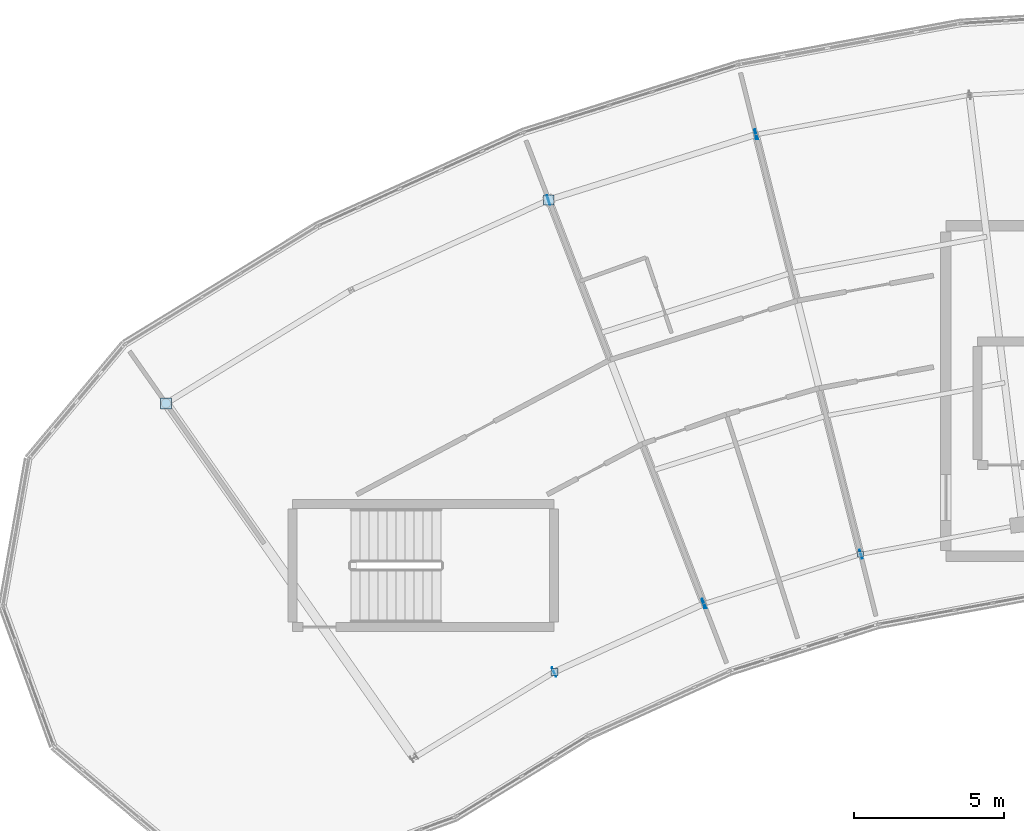
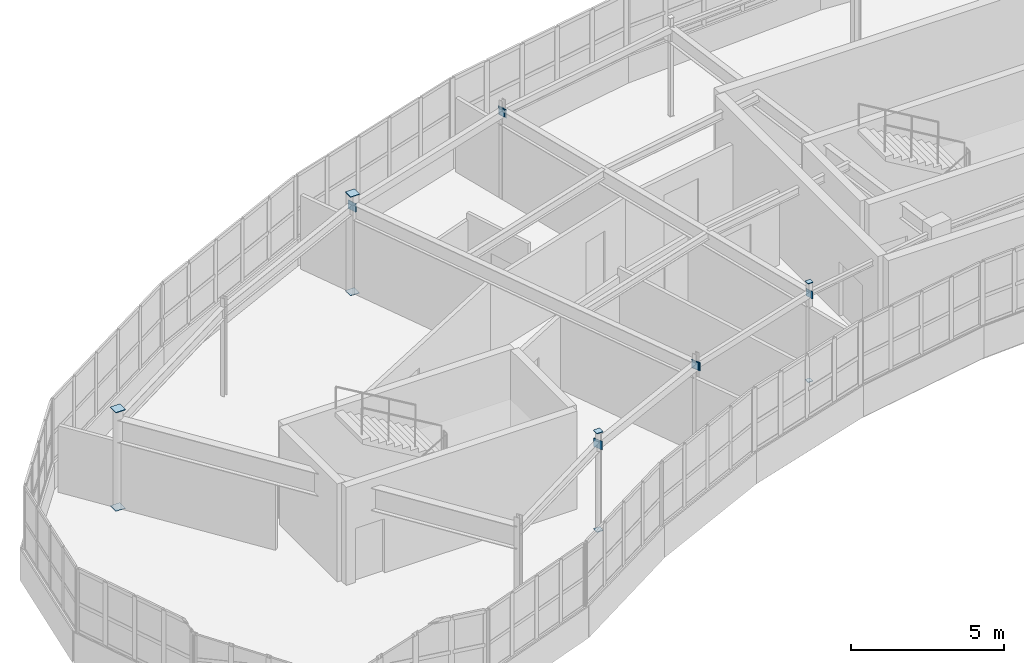
# One storey, part 48 of 65: 15 plates.
"""IFC4 building model written with IfcOpenShell, lengths in metres."""

import ifcopenshell
import ifcopenshell.guid

model = None  # the IFC model being written
_history = None  # IfcOwnerHistory: only IFC2X3 demands one
_inside = {}  # id of a spatial element -> (the spatial element, [elements in it])
_under = {}  # id of a project, library or spatial element -> (it, [spatial elements below it])
_declared = {}  # id of a project -> (the project, [libraries it declares])
_typed = {}  # id of a type object -> (the type object, [elements of that type])
_made_of = {}  # id of a material, layer set ... -> (it, [elements and type objects made of it])


def new_model(schema):
    """Start an empty IFC model of exactly this schema.

    Asked for "IFC4X3", IfcOpenShell would pick the latest addendum, in which some entities
    have other attributes; the version numbers below select the first issue.
    IFC2X3 requires an IfcOwnerHistory on every rooted entity: one is made here for all.
    """
    global model, _history
    if schema == "IFC4X3":
        model = ifcopenshell.file(schema_version=(4, 3, 0, 0))
    else:
        model = ifcopenshell.file(schema=schema)
    _inside.clear()
    _under.clear()
    _declared.clear()
    _typed.clear()
    _made_of.clear()
    _history = None
    if model.schema == "IFC2X3":
        org = make("IfcOrganization", Name="unknown")
        user = make(
            "IfcPersonAndOrganization",
            ThePerson=make("IfcPerson", FamilyName="unknown"),
            TheOrganization=org,
        )
        app = make(
            "IfcApplication",
            ApplicationDeveloper=org,
            Version="unknown",
            ApplicationFullName="unknown",
            ApplicationIdentifier="unknown",
        )
        _history = make(
            "IfcOwnerHistory",
            OwningUser=user,
            OwningApplication=app,
            ChangeAction="ADDED",
            CreationDate=0,
        )
    return model


def make(cls, **values):
    """One entity of the class cls with the attributes given. An attribute that is None is left unset."""
    return model.create_entity(
        cls, **{name: value for name, value in values.items() if value is not None}
    )


def rooted(cls, **values):
    """An entity with a GlobalId (a new one), such as an element, a storey or a relation."""
    return make(cls, GlobalId=ifcopenshell.guid.new(), OwnerHistory=_history, **values)


def si_unit(unit_type, name, prefix=None):
    """IfcSIUnit, for example si_unit("LENGTHUNIT", "METRE", prefix="MILLI")."""
    return make("IfcSIUnit", UnitType=unit_type, Prefix=prefix, Name=name)


def assignment(units):
    """IfcUnitAssignment: the units of a project."""
    return None if units is None else make("IfcUnitAssignment", Units=units)


def point(xyz):
    """IfcCartesianPoint."""
    return None if xyz is None else make("IfcCartesianPoint", Coordinates=xyz)


def direction(xyz):
    """IfcDirection."""
    return None if xyz is None else make("IfcDirection", DirectionRatios=xyz)


def frame(location, z_axis=None, x_axis=None):
    """IfcAxis2Placement3D, a coordinate frame: its origin and axes. An axis left out is left unset."""
    return make(
        "IfcAxis2Placement3D",
        Location=point(location),
        Axis=direction(z_axis),
        RefDirection=direction(x_axis),
    )


def frame_2d(location, x_axis=None):
    """IfcAxis2Placement2D, a coordinate frame in the plane: its origin and x axis."""
    return make(
        "IfcAxis2Placement2D", Location=point(location), RefDirection=direction(x_axis)
    )


def origin():
    """The frame at (0, 0, 0) with its axes left unset."""
    return frame((0.0, 0.0, 0.0))


def origin_2d():
    """The frame at (0, 0) in the plane with its x axis left unset."""
    return frame_2d((0.0, 0.0))


def place(relative_to, where):
    """IfcLocalPlacement: puts the frame where relative to a parent placement (None: the world)."""
    return make(
        "IfcLocalPlacement", PlacementRelTo=relative_to, RelativePlacement=where
    )


def context(
    kind, dimensions, precision=None, world=None, true_north=None, identifier=None
):
    """IfcGeometricRepresentationContext, for example the 3D "Model" context."""
    return make(
        "IfcGeometricRepresentationContext",
        ContextIdentifier=identifier,
        ContextType=kind,
        CoordinateSpaceDimension=dimensions,
        Precision=precision,
        WorldCoordinateSystem=world,
        TrueNorth=true_north,
    )


def subcontext(parent, identifier, kind, view, scale=None):
    """IfcGeometricRepresentationSubContext, for example "Body" below "Model"."""
    return make(
        "IfcGeometricRepresentationSubContext",
        ContextIdentifier=identifier,
        ContextType=kind,
        ParentContext=parent,
        TargetScale=scale,
        TargetView=view,
    )


def project(units=None, contexts=None):
    """IfcProject with its units and contexts."""
    return rooted(
        "IfcProject",
        Name="project",
        RepresentationContexts=contexts,
        UnitsInContext=assignment(units),
    )


def spatial(cls, under=None, at=None, **own):
    """A site, building, storey or space (cls), placed at a placement, below another one or the project."""
    s = rooted(cls, ObjectPlacement=at, **own)
    if under is not None:
        _under.setdefault(under.id(), (under, []))[1].append(s)
    return s


def profile(cls, at=None, kind="AREA", **sizes):
    """A parametric profile (cls). Its sizes go by their IFC names, for example OverallWidth=200.0."""
    return make(cls, ProfileType=kind, Position=at, **sizes)


def rectangle(**sizes):
    """IfcRectangleProfileDef."""
    return profile("IfcRectangleProfileDef", **sizes)


def extrude(swept, where, along, depth):
    """IfcExtrudedAreaSolid: the profile swept, set in the frame where, extruded along a direction by depth."""
    return make(
        "IfcExtrudedAreaSolid",
        SweptArea=swept,
        Position=where,
        ExtrudedDirection=direction(along),
        Depth=depth,
    )


def shape(context_of_items, identifier, shape_type, items):
    """IfcShapeRepresentation: the items that make up one representation, for example the "Body"."""
    return make(
        "IfcShapeRepresentation",
        ContextOfItems=context_of_items,
        RepresentationIdentifier=identifier,
        RepresentationType=shape_type,
        Items=items,
    )


def material(Name=None, Category=None):
    """IfcMaterial."""
    return make("IfcMaterial", Name=Name, Category=Category)


def layer(
    of_material, thickness, ventilated=None, Name=None, Category=None, Priority=None
):
    """IfcMaterialLayer: one layer of a wall or slab, of a material (None: an air gap)."""
    return make(
        "IfcMaterialLayer",
        Material=of_material,
        LayerThickness=thickness,
        IsVentilated=ventilated,
        Name=Name,
        Category=Category,
        Priority=Priority,
    )


def layer_set(layers, Name=None):
    """IfcMaterialLayerSet."""
    return make("IfcMaterialLayerSet", MaterialLayers=layers, LayerSetName=Name)


def made_of(thing, what):
    """Note that an element or type object is made of a material, layer set ...; save() writes the relation."""
    if what is not None:
        _made_of.setdefault(what.id(), (what, []))[1].append(thing)
    return thing


def type_object(cls, material=None, **own):
    """A type object (cls), such as IfcWallType, which elements share."""
    return made_of(rooted(cls, **own), material)


def element(
    cls,
    number,
    at=None,
    inside=None,
    cuts=None,
    type_object=None,
    material=None,
    context=None,
    identifier="Body",
    shape_type=None,
    held_by="IfcProductDefinitionShape",
    body=None,
    shapes=None,
    **own,
):
    """One element of the class cls, such as IfcWall. Its Tag is "e" and its number.

    at: its placement. inside: the storey or other place that contains it. cuts: it is an
    opening in that element (IfcRelVoidsElement). A single representation is given by context,
    identifier, shape_type and body (its items); several are given by shapes. held_by: the class
    of the entity that holds the representations. save() writes the other relations.
    """
    e = rooted(cls, Tag="e%d" % number, ObjectPlacement=at, **own)
    if body is not None:
        shapes = [shape(context, identifier, shape_type, body)]
    if shapes is not None:
        e.Representation = make(held_by, Representations=shapes)
    if inside is not None:
        _inside.setdefault(inside.id(), (inside, []))[1].append(e)
    if cuts is not None:
        rooted(
            "IfcRelVoidsElement", RelatingBuildingElement=cuts, RelatedOpeningElement=e
        )
    if type_object is not None:
        _typed.setdefault(type_object.id(), (type_object, []))[1].append(e)
    return made_of(e, material)


def aggregate(whole, parts):
    """IfcRelAggregates: a whole, such as a stair, and the parts it consists of."""
    return rooted("IfcRelAggregates", RelatingObject=whole, RelatedObjects=parts)


def save(model, path):
    """Write the relations noted so far, then the file.

    IfcRelAggregates (storeys below a building ...), IfcRelContainedInSpatialStructure (elements
    in a storey), IfcRelDefinesByType, IfcRelAssociatesMaterial and IfcRelDeclares: one each for
    every whole, place, type object, material and project.
    """
    for whole, parts in _under.values():
        aggregate(whole, parts)
    for where, things in _inside.values():
        rooted(
            "IfcRelContainedInSpatialStructure",
            RelatedElements=things,
            RelatingStructure=where,
        )
    for kind, things in _typed.values():
        rooted("IfcRelDefinesByType", RelatedObjects=things, RelatingType=kind)
    for what, things in _made_of.values():
        rooted("IfcRelAssociatesMaterial", RelatedObjects=things, RelatingMaterial=what)
    for by, libraries in _declared.values():
        rooted("IfcRelDeclares", RelatingContext=by, RelatedDefinitions=libraries)
    model.write(path)


model = new_model("IFC4")

# Units and contexts
model_context = context("Model", 3, precision=1e-05, world=origin(), true_north=direction((0.0, 1.0)))
body_context = subcontext(model_context, "Body", "Model", "MODEL_VIEW")
ifc_project = project(units=[si_unit("LENGTHUNIT", "METRE"), si_unit("AREAUNIT", "SQUARE_METRE"), si_unit("VOLUMEUNIT", "CUBIC_METRE"), si_unit("PLANEANGLEUNIT", "RADIAN"), si_unit("MASSUNIT", "GRAM", prefix="KILO")], contexts=[model_context])

# Site, building, storey
site_placement = place(None, origin())
site = spatial("IfcSite", under=ifc_project, at=site_placement, CompositionType="ELEMENT")
building_placement = place(site_placement, origin())
building = spatial("IfcBuilding", under=site, at=building_placement, Name="Tarnwether General Hospital", CompositionType="ELEMENT")
storey_placement = place(building_placement, frame((0.0, 0.0, 22.199951171875)))
storey = spatial("IfcBuildingStorey", under=building, at=storey_placement, Name="L05", CompositionType="ELEMENT", Elevation=22.199951171875)

# Plates
ifc_material = material(Name="Steel Grade 350 (350 MPa)", Category="steel")
ifc_layer = layer(ifc_material, 0.02490234375)
ifc_layer_set = layer_set([ifc_layer], Name="Steel Grade 350 (350 MPa)")
plate_type = type_object("IfcPlateType", Name="PT-GUS2", PredefinedType="USERDEFINED", material=ifc_layer_set)
for number, where, z_axis, x_axis, name in (
    (1, (58.0439453125, 111.493896484375, -0.02490234375), (0.0, 0.0, 1.0), (1.0, 0.0, 0.0), "Hollow Section Welded End Cap Plate 0457"),
    (2, (58.0439453125, 111.493896484375, 3.900146484375), (0.0, 0.0, 1.0), (1.0, 0.0, 0.0), "Hollow Section Welded End Cap Plate 0458"),
):
    element("IfcPlate", number, at=place(storey_placement, frame(where, z_axis=z_axis, x_axis=x_axis)), inside=storey, type_object=plate_type, Name=name, ObjectType="GUSSET", PredefinedType="USERDEFINED", context=body_context, shape_type="SweptSolid", body=[
        extrude(rectangle(XDim=0.364013671875, YDim=0.364013671875, at=origin_2d()), origin(), (0.0, 0.0, 1.0), 0.02490234375),
    ])
for number, where, z_axis, x_axis, name in (
    (3, (70.968017578125, 102.555908203125, -0.02490234375), (0.0, 0.0, 1.0), (1.0, 0.0, 0.0), "Hollow Section Welded End Cap Plate 0473"),
    (4, (70.968017578125, 102.555908203125, 3.900146484375), (0.0, 0.0, 1.0), (1.0, 0.0, 0.0), "Hollow Section Welded End Cap Plate 0474"),
):
    element("IfcPlate", number, at=place(storey_placement, frame(where, z_axis=z_axis, x_axis=x_axis)), inside=storey, type_object=plate_type, Name=name, ObjectType="GUSSET", PredefinedType="USERDEFINED", context=body_context, shape_type="SweptSolid", body=[
        extrude(rectangle(XDim=0.23388671875, YDim=0.23388671875, at=origin_2d()), origin(), (0.0, 0.0, 1.0), 0.02490234375),
    ])
for number, where, z_axis, x_axis, name in (
    (5, (70.784912109375, 118.26806640625, -0.02490234375), (0.0, 0.0, 1.0), (1.0, 0.0, 0.0), "Hollow Section Welded End Cap Plate 0481"),
    (6, (70.784912109375, 118.26806640625, 3.900146484375), (0.0, 0.0, 1.0), (1.0, 0.0, 0.0), "Hollow Section Welded End Cap Plate 0482"),
):
    element("IfcPlate", number, at=place(storey_placement, frame(where, z_axis=z_axis, x_axis=x_axis)), inside=storey, type_object=plate_type, Name=name, ObjectType="GUSSET", PredefinedType="USERDEFINED", context=body_context, shape_type="SweptSolid", body=[
        extrude(rectangle(XDim=0.340087890625, YDim=0.340087890625, at=origin_2d()), origin(), (0.0, 0.0, 1.0), 0.02490234375),
    ])
for number, where, z_axis, x_axis, name in (
    (7, (81.162109375, 106.468994140625, -0.02490234375), (0.0, 0.0, 1.0), (1.0, 0.0, 0.0), "Hollow Section Welded End Cap Plate 0503"),
    (8, (81.162109375, 106.468994140625, 3.900146484375), (0.0, 0.0, 1.0), (1.0, 0.0, 0.0), "Hollow Section Welded End Cap Plate 0504"),
):
    element("IfcPlate", number, at=place(storey_placement, frame(where, z_axis=z_axis, x_axis=x_axis)), inside=storey, type_object=plate_type, Name=name, ObjectType="GUSSET", PredefinedType="USERDEFINED", context=body_context, shape_type="SweptSolid", body=[
        extrude(rectangle(XDim=0.18994140625, YDim=0.18994140625, at=origin_2d()), origin(), (0.0, 0.0, 1.0), 0.02490234375),
    ])
for number, where, z_axis, x_axis, name in (
    (9, (70.95654296875, 102.55078125, 3.240234375), (0.0, 0.0, 1.0), (0.9099685085, 0.414677360773, 0.0), "Hollow Section Welded End Cap Plate 1041"),
    (10, (75.956298828125, 104.8291015625, 3.240234375), (0.0, 0.0, 1.0), (0.9099685085, 0.414677360773, 0.0), "Hollow Section Welded End Cap Plate 1042"),
    (11, (70.773193359375, 118.26416015625, 3.240234375), (0.0, 0.0, 1.0), (0.953690705585, 0.300789025864, 0.0), "Hollow Section Welded End Cap Plate 1043"),
    (12, (77.68994140625, 120.44580078125, 3.240234375), (0.0, 0.0, 1.0), (0.953690705585, 0.300789025864, 0.0), "Hollow Section Welded End Cap Plate 1044"),
):
    element("IfcPlate", number, at=place(storey_placement, frame(where, z_axis=z_axis, x_axis=x_axis)), inside=storey, type_object=plate_type, Name=name, ObjectType="GUSSET", PredefinedType="USERDEFINED", context=body_context, shape_type="SweptSolid", body=[
        extrude(rectangle(XDim=0.02490234375, YDim=0.340087890625, at=origin_2d()), origin(), (0.0, 0.0, 1.0), 0.340087890625),
    ])
for number, where, z_axis, x_axis, name in (
    (13, (75.93310546875, 104.8203125, 3.2900390625), (0.0, 0.0, 1.0), (0.953711702297, 0.300722444959, 0.0), "Hollow Section Welded End Cap Plate 1045"),
    (14, (81.173828125, 106.472900390625, 3.2900390625), (0.0, 0.0, 1.0), (0.953711702297, 0.300722444959, 0.0), "Hollow Section Welded End Cap Plate 1046"),
    (15, (77.665771484375, 120.439697265625, 3.2900390625), (0.0, 0.0, 1.0), (0.983261268185, 0.18220120331, 0.0), "Hollow Section Welded End Cap Plate 1047"),
):
    element("IfcPlate", number, at=place(storey_placement, frame(where, z_axis=z_axis, x_axis=x_axis)), inside=storey, type_object=plate_type, Name=name, ObjectType="GUSSET", PredefinedType="USERDEFINED", context=body_context, shape_type="SweptSolid", body=[
        extrude(rectangle(XDim=0.02490234375, YDim=0.2900390625, at=origin_2d()), origin(), (0.0, 0.0, 1.0), 0.2900390625),
    ])

save(model, "model.ifc")
